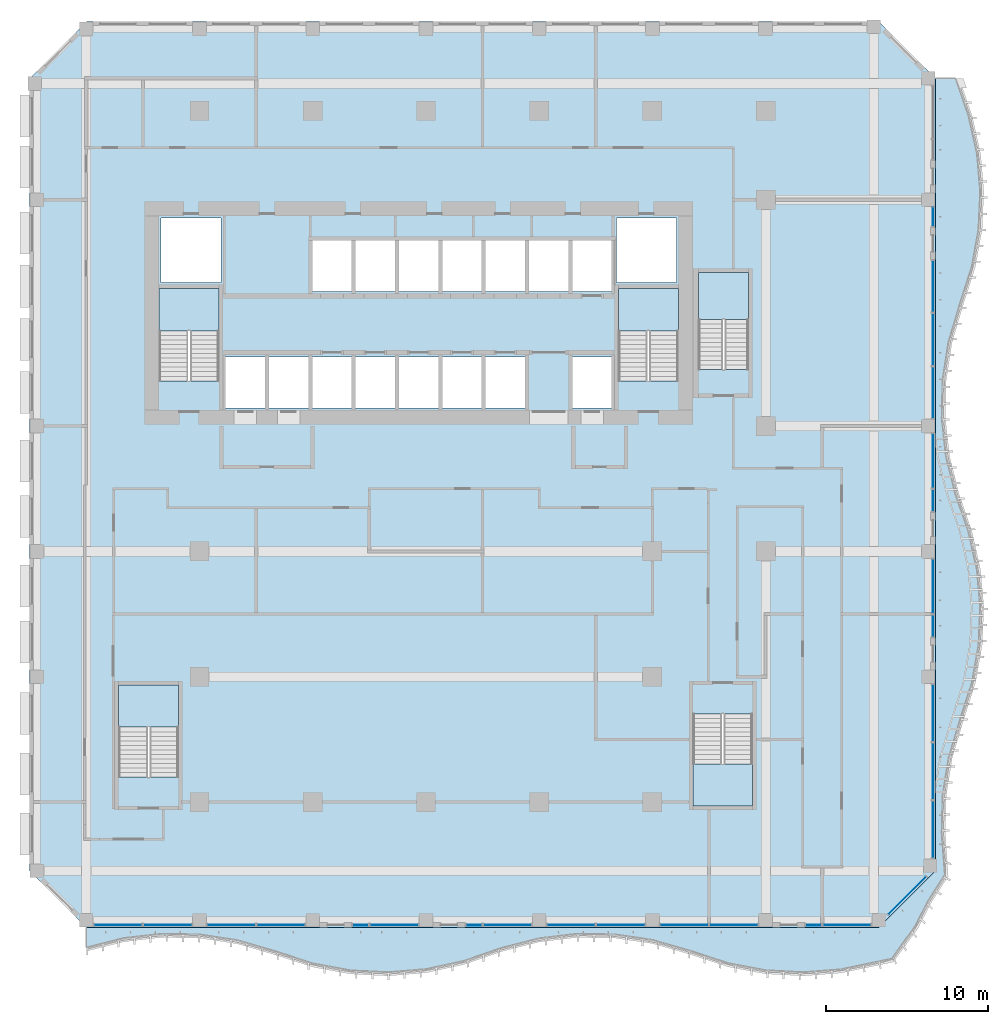
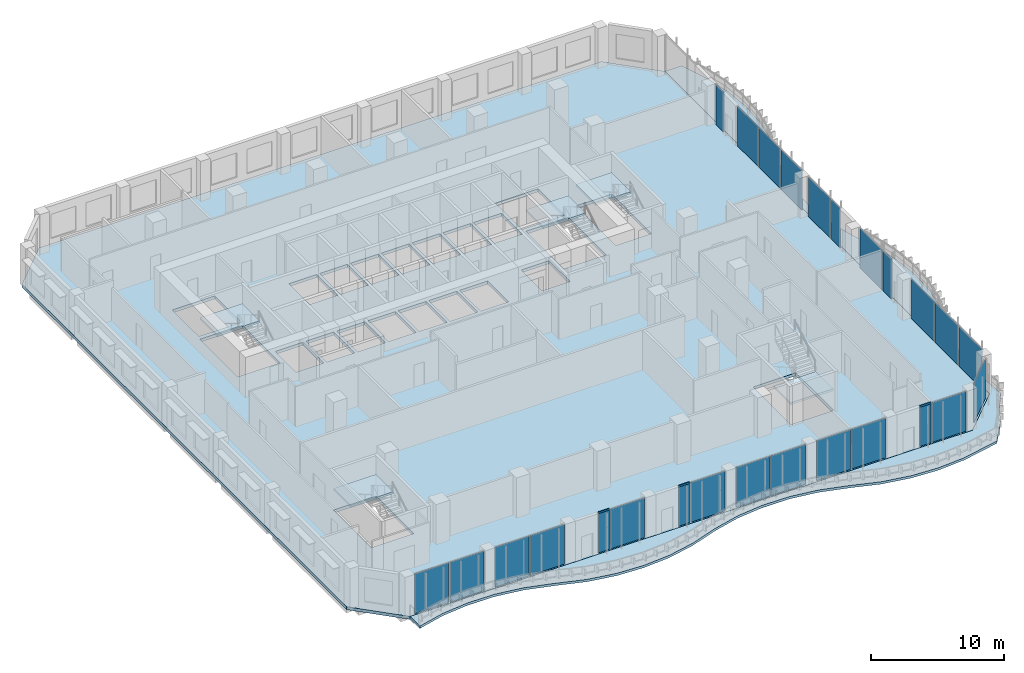
# One storey, part 9 of 25: 26 plates, 7 slabs, 3 members, 31 elements without a shape of their own.
"""IFC4 building model written with IfcOpenShell, lengths in metres."""

import ifcopenshell
import ifcopenshell.guid

model = None  # the IFC model being written
_history = None  # IfcOwnerHistory: only IFC2X3 demands one
_inside = {}  # id of a spatial element -> (the spatial element, [elements in it])
_under = {}  # id of a project, library or spatial element -> (it, [spatial elements below it])
_declared = {}  # id of a project -> (the project, [libraries it declares])
_typed = {}  # id of a type object -> (the type object, [elements of that type])
_made_of = {}  # id of a material, layer set ... -> (it, [elements and type objects made of it])


def new_model(schema):
    """Start an empty IFC model of exactly this schema.

    Asked for "IFC4X3", IfcOpenShell would pick the latest addendum, in which some entities
    have other attributes; the version numbers below select the first issue.
    IFC2X3 requires an IfcOwnerHistory on every rooted entity: one is made here for all.
    """
    global model, _history
    if schema == "IFC4X3":
        model = ifcopenshell.file(schema_version=(4, 3, 0, 0))
    else:
        model = ifcopenshell.file(schema=schema)
    _inside.clear()
    _under.clear()
    _declared.clear()
    _typed.clear()
    _made_of.clear()
    _history = None
    if model.schema == "IFC2X3":
        org = make("IfcOrganization", Name="unknown")
        user = make(
            "IfcPersonAndOrganization",
            ThePerson=make("IfcPerson", FamilyName="unknown"),
            TheOrganization=org,
        )
        app = make(
            "IfcApplication",
            ApplicationDeveloper=org,
            Version="unknown",
            ApplicationFullName="unknown",
            ApplicationIdentifier="unknown",
        )
        _history = make(
            "IfcOwnerHistory",
            OwningUser=user,
            OwningApplication=app,
            ChangeAction="ADDED",
            CreationDate=0,
        )
    return model


def make(cls, **values):
    """One entity of the class cls with the attributes given. An attribute that is None is left unset."""
    return model.create_entity(
        cls, **{name: value for name, value in values.items() if value is not None}
    )


def rooted(cls, **values):
    """An entity with a GlobalId (a new one), such as an element, a storey or a relation."""
    return make(cls, GlobalId=ifcopenshell.guid.new(), OwnerHistory=_history, **values)


def si_unit(unit_type, name, prefix=None):
    """IfcSIUnit, for example si_unit("LENGTHUNIT", "METRE", prefix="MILLI")."""
    return make("IfcSIUnit", UnitType=unit_type, Prefix=prefix, Name=name)


def assignment(units):
    """IfcUnitAssignment: the units of a project."""
    return None if units is None else make("IfcUnitAssignment", Units=units)


def point(xyz):
    """IfcCartesianPoint."""
    return None if xyz is None else make("IfcCartesianPoint", Coordinates=xyz)


def direction(xyz):
    """IfcDirection."""
    return None if xyz is None else make("IfcDirection", DirectionRatios=xyz)


def frame(location, z_axis=None, x_axis=None):
    """IfcAxis2Placement3D, a coordinate frame: its origin and axes. An axis left out is left unset."""
    return make(
        "IfcAxis2Placement3D",
        Location=point(location),
        Axis=direction(z_axis),
        RefDirection=direction(x_axis),
    )


def frame_2d(location, x_axis=None):
    """IfcAxis2Placement2D, a coordinate frame in the plane: its origin and x axis."""
    return make(
        "IfcAxis2Placement2D", Location=point(location), RefDirection=direction(x_axis)
    )


def origin():
    """The frame at (0, 0, 0) with its axes left unset."""
    return frame((0.0, 0.0, 0.0))


def origin_2d():
    """The frame at (0, 0) in the plane with its x axis left unset."""
    return frame_2d((0.0, 0.0))


def place(relative_to, where):
    """IfcLocalPlacement: puts the frame where relative to a parent placement (None: the world)."""
    return make(
        "IfcLocalPlacement", PlacementRelTo=relative_to, RelativePlacement=where
    )


def context(
    kind, dimensions, precision=None, world=None, true_north=None, identifier=None
):
    """IfcGeometricRepresentationContext, for example the 3D "Model" context."""
    return make(
        "IfcGeometricRepresentationContext",
        ContextIdentifier=identifier,
        ContextType=kind,
        CoordinateSpaceDimension=dimensions,
        Precision=precision,
        WorldCoordinateSystem=world,
        TrueNorth=true_north,
    )


def subcontext(parent, identifier, kind, view, scale=None):
    """IfcGeometricRepresentationSubContext, for example "Body" below "Model"."""
    return make(
        "IfcGeometricRepresentationSubContext",
        ContextIdentifier=identifier,
        ContextType=kind,
        ParentContext=parent,
        TargetScale=scale,
        TargetView=view,
    )


def project(units=None, contexts=None):
    """IfcProject with its units and contexts."""
    return rooted(
        "IfcProject",
        Name="project",
        RepresentationContexts=contexts,
        UnitsInContext=assignment(units),
    )


def spatial(cls, under=None, at=None, **own):
    """A site, building, storey or space (cls), placed at a placement, below another one or the project."""
    s = rooted(cls, ObjectPlacement=at, **own)
    if under is not None:
        _under.setdefault(under.id(), (under, []))[1].append(s)
    return s


def polyline(points):
    """IfcPolyline through the points."""
    return make("IfcPolyline", Points=[point(p) for p in points])


def profile(cls, at=None, kind="AREA", **sizes):
    """A parametric profile (cls). Its sizes go by their IFC names, for example OverallWidth=200.0."""
    return make(cls, ProfileType=kind, Position=at, **sizes)


def rectangle(**sizes):
    """IfcRectangleProfileDef."""
    return profile("IfcRectangleProfileDef", **sizes)


def outline(outer, holes=None, kind="AREA"):
    """IfcArbitraryClosedProfileDef: a profile drawn as a closed curve; with holes, ...WithVoids."""
    if holes is None:
        return make("IfcArbitraryClosedProfileDef", ProfileType=kind, OuterCurve=outer)
    return make(
        "IfcArbitraryProfileDefWithVoids",
        ProfileType=kind,
        OuterCurve=outer,
        InnerCurves=holes,
    )


def extrude(swept, where, along, depth):
    """IfcExtrudedAreaSolid: the profile swept, set in the frame where, extruded along a direction by depth."""
    return make(
        "IfcExtrudedAreaSolid",
        SweptArea=swept,
        Position=where,
        ExtrudedDirection=direction(along),
        Depth=depth,
    )


def shape(context_of_items, identifier, shape_type, items):
    """IfcShapeRepresentation: the items that make up one representation, for example the "Body"."""
    return make(
        "IfcShapeRepresentation",
        ContextOfItems=context_of_items,
        RepresentationIdentifier=identifier,
        RepresentationType=shape_type,
        Items=items,
    )


def source(mapping_origin, context_of_items, identifier, shape_type, items):
    """IfcRepresentationMap: a shape defined once, which mapped items show again and again."""
    return make(
        "IfcRepresentationMap",
        MappingOrigin=mapping_origin,
        MappedRepresentation=shape(context_of_items, identifier, shape_type, items),
    )


def transform(
    local_origin,
    x_axis=None,
    y_axis=None,
    z_axis=None,
    scale=None,
    scale2=None,
    scale3=None,
    uniform=True,
):
    """IfcCartesianTransformationOperator3D, or its non-uniform kind. x_axis, y_axis, z_axis: its Axis1, 2, 3."""
    if uniform:
        return make(
            "IfcCartesianTransformationOperator3D",
            Axis1=direction(x_axis),
            Axis2=direction(y_axis),
            LocalOrigin=point(local_origin),
            Scale=scale,
            Axis3=direction(z_axis),
        )
    return make(
        "IfcCartesianTransformationOperator3DnonUniform",
        Axis1=direction(x_axis),
        Axis2=direction(y_axis),
        LocalOrigin=point(local_origin),
        Scale=scale,
        Axis3=direction(z_axis),
        Scale2=scale2,
        Scale3=scale3,
    )


def mapped(mapping_source, mapping_target):
    """IfcMappedItem: shows the shape of a source again, moved by a transform."""
    return make(
        "IfcMappedItem", MappingSource=mapping_source, MappingTarget=mapping_target
    )


def material(Name=None, Category=None):
    """IfcMaterial."""
    return make("IfcMaterial", Name=Name, Category=Category)


def layer(
    of_material, thickness, ventilated=None, Name=None, Category=None, Priority=None
):
    """IfcMaterialLayer: one layer of a wall or slab, of a material (None: an air gap)."""
    return make(
        "IfcMaterialLayer",
        Material=of_material,
        LayerThickness=thickness,
        IsVentilated=ventilated,
        Name=Name,
        Category=Category,
        Priority=Priority,
    )


def layer_set(layers, Name=None):
    """IfcMaterialLayerSet."""
    return make("IfcMaterialLayerSet", MaterialLayers=layers, LayerSetName=Name)


def material_profile(
    of_material, cross_section, Name=None, Category=None, Priority=None
):
    """IfcMaterialProfile: a cross section and its material."""
    return make(
        "IfcMaterialProfile",
        Name=Name,
        Material=of_material,
        Profile=cross_section,
        Priority=Priority,
        Category=Category,
    )


def profile_set(profiles, Name=None, composite=None):
    """IfcMaterialProfileSet."""
    return make(
        "IfcMaterialProfileSet",
        Name=Name,
        MaterialProfiles=profiles,
        CompositeProfile=composite,
    )


def made_of(thing, what):
    """Note that an element or type object is made of a material, layer set ...; save() writes the relation."""
    if what is not None:
        _made_of.setdefault(what.id(), (what, []))[1].append(thing)
    return thing


def type_object(cls, material=None, **own):
    """A type object (cls), such as IfcWallType, which elements share."""
    return made_of(rooted(cls, **own), material)


def element(
    cls,
    number,
    at=None,
    inside=None,
    cuts=None,
    type_object=None,
    material=None,
    context=None,
    identifier="Body",
    shape_type=None,
    held_by="IfcProductDefinitionShape",
    body=None,
    shapes=None,
    **own,
):
    """One element of the class cls, such as IfcWall. Its Tag is "e" and its number.

    at: its placement. inside: the storey or other place that contains it. cuts: it is an
    opening in that element (IfcRelVoidsElement). A single representation is given by context,
    identifier, shape_type and body (its items); several are given by shapes. held_by: the class
    of the entity that holds the representations. save() writes the other relations.
    """
    e = rooted(cls, Tag="e%d" % number, ObjectPlacement=at, **own)
    if body is not None:
        shapes = [shape(context, identifier, shape_type, body)]
    if shapes is not None:
        e.Representation = make(held_by, Representations=shapes)
    if inside is not None:
        _inside.setdefault(inside.id(), (inside, []))[1].append(e)
    if cuts is not None:
        rooted(
            "IfcRelVoidsElement", RelatingBuildingElement=cuts, RelatedOpeningElement=e
        )
    if type_object is not None:
        _typed.setdefault(type_object.id(), (type_object, []))[1].append(e)
    return made_of(e, material)


def aggregate(whole, parts):
    """IfcRelAggregates: a whole, such as a stair, and the parts it consists of."""
    return rooted("IfcRelAggregates", RelatingObject=whole, RelatedObjects=parts)


def save(model, path):
    """Write the relations noted so far, then the file.

    IfcRelAggregates (storeys below a building ...), IfcRelContainedInSpatialStructure (elements
    in a storey), IfcRelDefinesByType, IfcRelAssociatesMaterial and IfcRelDeclares: one each for
    every whole, place, type object, material and project.
    """
    for whole, parts in _under.values():
        aggregate(whole, parts)
    for where, things in _inside.values():
        rooted(
            "IfcRelContainedInSpatialStructure",
            RelatedElements=things,
            RelatingStructure=where,
        )
    for kind, things in _typed.values():
        rooted("IfcRelDefinesByType", RelatedObjects=things, RelatingType=kind)
    for what, things in _made_of.values():
        rooted("IfcRelAssociatesMaterial", RelatedObjects=things, RelatingMaterial=what)
    for by, libraries in _declared.values():
        rooted("IfcRelDeclares", RelatingContext=by, RelatedDefinitions=libraries)
    model.write(path)


model = new_model("IFC4")

# Units and contexts
model_context = context("Model", 3, precision=1e-05, world=origin(), true_north=direction((0.0, 1.0)))
body_context = subcontext(model_context, "Body", "Model", "MODEL_VIEW")
ifc_project = project(units=[si_unit("LENGTHUNIT", "METRE"), si_unit("AREAUNIT", "SQUARE_METRE"), si_unit("VOLUMEUNIT", "CUBIC_METRE"), si_unit("PLANEANGLEUNIT", "RADIAN"), si_unit("MASSUNIT", "GRAM", prefix="KILO")], contexts=[model_context])

# Site, building, storey
site_placement = place(None, origin())
site = spatial("IfcSite", under=ifc_project, at=site_placement, CompositionType="ELEMENT")
building_placement = place(site_placement, origin())
building = spatial("IfcBuilding", under=site, at=building_placement, Name="Kilnfold Tower and Market Hall", CompositionType="ELEMENT")
storey_placement = place(building_placement, frame((0.0, 0.0, 120.60009765625)))
storey = spatial("IfcBuildingStorey", under=building, at=storey_placement, Name="L28", CompositionType="ELEMENT", Elevation=120.60009765625)

# Curtain wall, member
ifc_material_1 = material(Name="Aluminium and double glazing", Category="aluminium")
curtain_wall_type = type_object("IfcCurtainWallType", Name="CW OF2 VALLEY GLAZING", PredefinedType="NOTDEFINED", material=ifc_material_1)
curtain_wall_1_placement = place(storey_placement, origin())
curtain_wall_1 = element("IfcCurtainWall", 1, at=curtain_wall_1_placement, inside=storey, type_object=curtain_wall_type, Name="Curtain wall CW2 L28 S", PredefinedType="NOTDEFINED")
ifc_material_2 = material(Name="Aluminium", Category="aluminium")
ifc_material_profile = material_profile(ifc_material_2, rectangle(XDim=0.06005859375, YDim=0.159912109375, at=origin_2d()), Name="TRANSOM 60x160")
ifc_profile_set = profile_set([ifc_material_profile], Name="Aluminium")
member_type = type_object("IfcMemberType", Name="TRANSOM 60X160", PredefinedType="USERDEFINED", material=ifc_profile_set)
shared_shape_1 = source(origin(), body_context, "Body", "SweptSolid", [
    extrude(rectangle(XDim=0.06005859375, YDim=0.159912109375, at=origin_2d()), origin(), (0.0, 0.0, 1.0), 0.954833984375),
])
member_1_placement = place(storey_placement, frame((-3.014892578125, -22.85009765625, 3.68994140625), z_axis=(1.0, 0.0, 0.0), x_axis=(0.0, 1.0, 0.0)))
member_1 = element("IfcMember", 2, at=member_1_placement, type_object=member_type, Name="CW2 transom 1.2", ObjectType="TRANSOM", PredefinedType="USERDEFINED", context=body_context, shape_type="MappedRepresentation", body=[
    mapped(shared_shape_1, transform((0.0, 0.0, 0.0))),
])

curtain_wall_2_placement = place(storey_placement, origin())
curtain_wall_2 = element("IfcCurtainWall", 3, at=curtain_wall_2_placement, inside=storey, type_object=curtain_wall_type, Name="Curtain wall CW2 L28 S", PredefinedType="NOTDEFINED")
member_2_placement = place(storey_placement, frame((3.985107421875, -22.85009765625, 3.68994140625), z_axis=(1.0, 0.0, 0.0), x_axis=(0.0, 1.0, 0.0)))
member_2 = element("IfcMember", 4, at=member_2_placement, type_object=member_type, Name="CW2 transom 1.2", ObjectType="TRANSOM", PredefinedType="USERDEFINED", context=body_context, shape_type="MappedRepresentation", body=[
    mapped(shared_shape_1, transform((0.0, 0.0, 0.0))),
])

curtain_wall_3_placement = place(storey_placement, origin())
curtain_wall_3 = element("IfcCurtainWall", 5, at=curtain_wall_3_placement, inside=storey, type_object=curtain_wall_type, Name="Curtain wall CW2 L28 S", PredefinedType="NOTDEFINED")
member_3_placement = place(storey_placement, frame((24.985107421875, -22.85009765625, 3.68994140625), z_axis=(1.0, 0.0, 0.0), x_axis=(0.0, 1.0, 0.0)))
member_3 = element("IfcMember", 6, at=member_3_placement, type_object=member_type, Name="CW2 transom 1.2", ObjectType="TRANSOM", PredefinedType="USERDEFINED", context=body_context, shape_type="MappedRepresentation", body=[
    mapped(shared_shape_1, transform((0.0, 0.0, 0.0))),
])

# Slab
ifc_material_3 = material(Name="Concrete C45", Category="concrete")
ifc_layer_1 = layer(ifc_material_3, 0.280029296875)
ifc_layer_set_1 = layer_set([ifc_layer_1], Name="Concrete C45")
slab_type_1 = type_object("IfcSlabType", Name="FLOOR SLAB 280", PredefinedType="FLOOR", material=ifc_layer_set_1)
shared_shape_2 = source(origin(), body_context, "Body", "SweptSolid", [
    extrude(outline(polyline([(-19.5, -23.0), (29.5, -23.0), (33.0, -19.5), (33.0, 29.5), (29.5, 33.0), (-19.5, 33.0), (-23.0, 29.5), (-23.0, -19.5), (-19.5, -23.0)]), holes=[polyline([(-13.800537109375, -13.699462890625), (-17.49951171875, -13.699462890625), (-17.49951171875, -8.00048828125), (-13.800537109375, -8.00048828125), (-13.800537109375, -13.699462890625)]), polyline([(-14.99951171875, 10.800537109375), (-14.99951171875, 16.49951171875), (-11.300537109375, 16.49951171875), (-11.300537109375, 10.800537109375), (-14.99951171875, 10.800537109375)]), polyline([(-14.875, 16.875), (-14.875, 20.875), (-11.175048828125, 20.875), (-11.175048828125, 16.875), (-14.875, 16.875)]), polyline([(-8.455078125, 9.125), (-10.885009765625, 9.125), (-10.885009765625, 12.27490234375), (-8.455078125, 12.27490234375), (-8.455078125, 9.125)]), polyline([(-5.77490234375, 9.125), (-8.205078125, 9.125), (-8.205078125, 12.27490234375), (-5.77490234375, 12.27490234375), (-5.77490234375, 9.125)]), polyline([(-5.52490234375, 9.125), (-5.52490234375, 12.27490234375), (-3.094970703125, 12.27490234375), (-3.094970703125, 9.125), (-5.52490234375, 9.125)]), polyline([(-5.52490234375, 16.324951171875), (-5.52490234375, 19.47509765625), (-3.094970703125, 19.47509765625), (-3.094970703125, 16.324951171875), (-5.52490234375, 16.324951171875)]), polyline([(-2.844970703125, 9.125), (-2.844970703125, 12.27490234375), (-0.4150390625, 12.27490234375), (-0.4150390625, 9.125), (-2.844970703125, 9.125)]), polyline([(-0.4150390625, 16.324951171875), (-2.844970703125, 16.324951171875), (-2.844970703125, 19.47509765625), (-0.4150390625, 19.47509765625), (-0.4150390625, 16.324951171875)]), polyline([(2.264892578125, 9.125), (-0.1650390625, 9.125), (-0.1650390625, 12.27490234375), (2.264892578125, 12.27490234375), (2.264892578125, 9.125)]), polyline([(-0.1650390625, 16.324951171875), (-0.1650390625, 19.47509765625), (2.264892578125, 19.47509765625), (2.264892578125, 16.324951171875), (-0.1650390625, 16.324951171875)]), polyline([(4.945068359375, 9.125), (2.514892578125, 9.125), (2.514892578125, 12.27490234375), (4.945068359375, 12.27490234375), (4.945068359375, 9.125)]), polyline([(2.514892578125, 16.324951171875), (2.514892578125, 19.47509765625), (4.945068359375, 19.47509765625), (4.945068359375, 16.324951171875), (2.514892578125, 16.324951171875)]), polyline([(7.625, 9.125), (5.195068359375, 9.125), (5.195068359375, 12.27490234375), (7.625, 12.27490234375), (7.625, 9.125)]), polyline([(5.195068359375, 16.324951171875), (5.195068359375, 19.47509765625), (7.625, 19.47509765625), (7.625, 16.324951171875), (5.195068359375, 16.324951171875)]), polyline([(10.304931640625, 16.324951171875), (7.875, 16.324951171875), (7.875, 19.47509765625), (10.304931640625, 19.47509765625), (10.304931640625, 16.324951171875)]), polyline([(10.554931640625, 9.125), (10.554931640625, 12.27490234375), (12.985107421875, 12.27490234375), (12.985107421875, 9.125), (10.554931640625, 9.125)]), polyline([(10.554931640625, 16.324951171875), (10.554931640625, 19.47509765625), (12.985107421875, 19.47509765625), (12.985107421875, 16.324951171875), (10.554931640625, 16.324951171875)]), polyline([(13.27490234375, 16.875), (13.27490234375, 20.875), (16.97509765625, 20.875), (16.97509765625, 16.875), (13.27490234375, 16.875)]), polyline([(13.400390625, 10.800537109375), (13.400390625, 16.49951171875), (17.099609375, 16.49951171875), (17.099609375, 10.800537109375), (13.400390625, 10.800537109375)]), polyline([(18.00048828125, -9.800537109375), (21.699462890625, -9.800537109375), (21.699462890625, -15.49951171875), (18.00048828125, -15.49951171875), (18.00048828125, -9.800537109375)]), polyline([(21.449462890625, 11.50048828125), (18.3505859375, 11.50048828125), (18.3505859375, 17.49951171875), (21.449462890625, 17.49951171875), (21.449462890625, 11.50048828125)])]), origin(), (0.0, 0.0, 1.0), 0.280029296875),
])
slab_1_placement = place(storey_placement, frame((0.0, 0.0, -0.280029296875)))
element("IfcSlab", 7, at=slab_1_placement, inside=storey, type_object=slab_type_1, Name="Floor slab L28", PredefinedType="FLOOR", context=body_context, shape_type="MappedRepresentation", body=[
    mapped(shared_shape_2, transform((0.0, 0.0, 0.0))),
])

# Plate
ifc_material_4 = material(Name="Double glazed unit")
ifc_layer_2 = layer(ifc_material_4, 0.031982421875)
ifc_layer_set_2 = layer_set([ifc_layer_2], Name="Double glazed unit")
plate_type = type_object("IfcPlateType", Name="GLAZING PANEL 32", PredefinedType="CURTAIN_PANEL", material=ifc_layer_set_2)
shared_shape_3 = source(origin(), body_context, "Body", "SweptSolid", [
    extrude(rectangle(XDim=0.955078125, YDim=0.031982421875, at=origin_2d()), origin(), (0.0, 0.0, 1.0), 3.659912109375),
])
plate_1_placement = place(storey_placement, frame((-2.53759765625, -22.85009765625, 0.0), z_axis=(0.0, 0.0, 1.0), x_axis=(1.0, 0.0, 0.0)))
plate_1 = element("IfcPlate", 8, at=plate_1_placement, type_object=plate_type, Name="CW2 panel 1.1", PredefinedType="CURTAIN_PANEL", context=body_context, shape_type="MappedRepresentation", body=[
    mapped(shared_shape_3, transform((0.0, 0.0, 0.0))),
])

aggregate(curtain_wall_1, [member_1, plate_1])

plate_2_placement = place(storey_placement, frame((4.46240234375, -22.85009765625, 0.0), z_axis=(0.0, 0.0, 1.0), x_axis=(1.0, 0.0, 0.0)))
plate_2 = element("IfcPlate", 9, at=plate_2_placement, type_object=plate_type, Name="CW2 panel 1.1", PredefinedType="CURTAIN_PANEL", context=body_context, shape_type="MappedRepresentation", body=[
    mapped(shared_shape_3, transform((0.0, 0.0, 0.0))),
])

aggregate(curtain_wall_2, [member_2, plate_2])

plate_3_placement = place(storey_placement, frame((25.46240234375, -22.85009765625, 0.0), z_axis=(0.0, 0.0, 1.0), x_axis=(1.0, 0.0, 0.0)))
plate_3 = element("IfcPlate", 10, at=plate_3_placement, type_object=plate_type, Name="CW2 panel 1.1", PredefinedType="CURTAIN_PANEL", context=body_context, shape_type="MappedRepresentation", body=[
    mapped(shared_shape_3, transform((0.0, 0.0, 0.0))),
])

aggregate(curtain_wall_3, [member_3, plate_3])

# Curtain wall, plate
curtain_wall_4_placement = place(storey_placement, origin())
curtain_wall_4 = element("IfcCurtainWall", 11, at=curtain_wall_4_placement, inside=storey, type_object=curtain_wall_type, Name="Curtain wall CW2 L28 S", PredefinedType="NOTDEFINED")
shared_shape_4 = source(origin(), body_context, "Body", "SweptSolid", [
    extrude(rectangle(XDim=2.955078125, YDim=0.031982421875, at=origin_2d()), origin(), (0.0, 0.0, 1.0), 3.659912109375),
])
plate_4_placement = place(storey_placement, frame((-17.53759765625, -22.85009765625, 0.0), z_axis=(0.0, 0.0, 1.0), x_axis=(1.0, 0.0, 0.0)))
plate_4 = element("IfcPlate", 12, at=plate_4_placement, type_object=plate_type, Name="CW2 panel 1.1", PredefinedType="CURTAIN_PANEL", context=body_context, shape_type="MappedRepresentation", body=[
    mapped(shared_shape_4, transform((0.0, 0.0, 0.0))),
])
aggregate(curtain_wall_4, [plate_4])

curtain_wall_5_placement = place(storey_placement, origin())
curtain_wall_5 = element("IfcCurtainWall", 13, at=curtain_wall_5_placement, inside=storey, type_object=curtain_wall_type, Name="Curtain wall CW2 L28 S", PredefinedType="NOTDEFINED")
plate_5_placement = place(storey_placement, frame((-14.46240234375, -22.85009765625, 0.0), z_axis=(0.0, 0.0, 1.0), x_axis=(1.0, 0.0, 0.0)))
plate_5 = element("IfcPlate", 14, at=plate_5_placement, type_object=plate_type, Name="CW2 panel 1.1", PredefinedType="CURTAIN_PANEL", context=body_context, shape_type="MappedRepresentation", body=[
    mapped(shared_shape_4, transform((0.0, 0.0, 0.0))),
])
aggregate(curtain_wall_5, [plate_5])

curtain_wall_6_placement = place(storey_placement, origin())
curtain_wall_6 = element("IfcCurtainWall", 15, at=curtain_wall_6_placement, inside=storey, type_object=curtain_wall_type, Name="Curtain wall CW2 L28 S", PredefinedType="NOTDEFINED")
plate_6_placement = place(storey_placement, frame((-10.53759765625, -22.85009765625, 0.0), z_axis=(0.0, 0.0, 1.0), x_axis=(1.0, 0.0, 0.0)))
plate_6 = element("IfcPlate", 16, at=plate_6_placement, type_object=plate_type, Name="CW2 panel 1.1", PredefinedType="CURTAIN_PANEL", context=body_context, shape_type="MappedRepresentation", body=[
    mapped(shared_shape_4, transform((0.0, 0.0, 0.0))),
])
aggregate(curtain_wall_6, [plate_6])

curtain_wall_7_placement = place(storey_placement, origin())
curtain_wall_7 = element("IfcCurtainWall", 17, at=curtain_wall_7_placement, inside=storey, type_object=curtain_wall_type, Name="Curtain wall CW2 L28 S", PredefinedType="NOTDEFINED")
plate_7_placement = place(storey_placement, frame((-7.46240234375, -22.85009765625, 0.0), z_axis=(0.0, 0.0, 1.0), x_axis=(1.0, 0.0, 0.0)))
plate_7 = element("IfcPlate", 18, at=plate_7_placement, type_object=plate_type, Name="CW2 panel 1.1", PredefinedType="CURTAIN_PANEL", context=body_context, shape_type="MappedRepresentation", body=[
    mapped(shared_shape_4, transform((0.0, 0.0, 0.0))),
])
aggregate(curtain_wall_7, [plate_7])

curtain_wall_8_placement = place(storey_placement, origin())
curtain_wall_8 = element("IfcCurtainWall", 19, at=curtain_wall_8_placement, inside=storey, type_object=curtain_wall_type, Name="Curtain wall CW2 L28 S", PredefinedType="NOTDEFINED")
plate_8_placement = place(storey_placement, frame((-0.46240234375, -22.85009765625, 0.0), z_axis=(0.0, 0.0, 1.0), x_axis=(1.0, 0.0, 0.0)))
plate_8 = element("IfcPlate", 20, at=plate_8_placement, type_object=plate_type, Name="CW2 panel 1.1", PredefinedType="CURTAIN_PANEL", context=body_context, shape_type="MappedRepresentation", body=[
    mapped(shared_shape_4, transform((0.0, 0.0, 0.0))),
])
aggregate(curtain_wall_8, [plate_8])

curtain_wall_9_placement = place(storey_placement, origin())
curtain_wall_9 = element("IfcCurtainWall", 21, at=curtain_wall_9_placement, inside=storey, type_object=curtain_wall_type, Name="Curtain wall CW2 L28 S", PredefinedType="NOTDEFINED")
plate_9_placement = place(storey_placement, frame((6.53759765625, -22.85009765625, 0.0), z_axis=(0.0, 0.0, 1.0), x_axis=(1.0, 0.0, 0.0)))
plate_9 = element("IfcPlate", 22, at=plate_9_placement, type_object=plate_type, Name="CW2 panel 1.1", PredefinedType="CURTAIN_PANEL", context=body_context, shape_type="MappedRepresentation", body=[
    mapped(shared_shape_4, transform((0.0, 0.0, 0.0))),
])
aggregate(curtain_wall_9, [plate_9])

curtain_wall_10_placement = place(storey_placement, origin())
curtain_wall_10 = element("IfcCurtainWall", 23, at=curtain_wall_10_placement, inside=storey, type_object=curtain_wall_type, Name="Curtain wall CW2 L28 S", PredefinedType="NOTDEFINED")
plate_10_placement = place(storey_placement, frame((10.46240234375, -22.85009765625, 0.0), z_axis=(0.0, 0.0, 1.0), x_axis=(1.0, 0.0, 0.0)))
plate_10 = element("IfcPlate", 24, at=plate_10_placement, type_object=plate_type, Name="CW2 panel 1.1", PredefinedType="CURTAIN_PANEL", context=body_context, shape_type="MappedRepresentation", body=[
    mapped(shared_shape_4, transform((0.0, 0.0, 0.0))),
])
aggregate(curtain_wall_10, [plate_10])

curtain_wall_11_placement = place(storey_placement, origin())
curtain_wall_11 = element("IfcCurtainWall", 25, at=curtain_wall_11_placement, inside=storey, type_object=curtain_wall_type, Name="Curtain wall CW2 L28 S", PredefinedType="NOTDEFINED")
plate_11_placement = place(storey_placement, frame((13.53759765625, -22.85009765625, 0.0), z_axis=(0.0, 0.0, 1.0), x_axis=(1.0, 0.0, 0.0)))
plate_11 = element("IfcPlate", 26, at=plate_11_placement, type_object=plate_type, Name="CW2 panel 1.1", PredefinedType="CURTAIN_PANEL", context=body_context, shape_type="MappedRepresentation", body=[
    mapped(shared_shape_4, transform((0.0, 0.0, 0.0))),
])
aggregate(curtain_wall_11, [plate_11])

curtain_wall_12_placement = place(storey_placement, origin())
curtain_wall_12 = element("IfcCurtainWall", 27, at=curtain_wall_12_placement, inside=storey, type_object=curtain_wall_type, Name="Curtain wall CW2 L28 S", PredefinedType="NOTDEFINED")
plate_12_placement = place(storey_placement, frame((17.46240234375, -22.85009765625, 0.0), z_axis=(0.0, 0.0, 1.0), x_axis=(1.0, 0.0, 0.0)))
plate_12 = element("IfcPlate", 28, at=plate_12_placement, type_object=plate_type, Name="CW2 panel 1.1", PredefinedType="CURTAIN_PANEL", context=body_context, shape_type="MappedRepresentation", body=[
    mapped(shared_shape_4, transform((0.0, 0.0, 0.0))),
])
aggregate(curtain_wall_12, [plate_12])

curtain_wall_13_placement = place(storey_placement, origin())
curtain_wall_13 = element("IfcCurtainWall", 29, at=curtain_wall_13_placement, inside=storey, type_object=curtain_wall_type, Name="Curtain wall CW2 L28 S", PredefinedType="NOTDEFINED")
plate_13_placement = place(storey_placement, frame((20.53759765625, -22.85009765625, 0.0), z_axis=(0.0, 0.0, 1.0), x_axis=(1.0, 0.0, 0.0)))
plate_13 = element("IfcPlate", 30, at=plate_13_placement, type_object=plate_type, Name="CW2 panel 1.1", PredefinedType="CURTAIN_PANEL", context=body_context, shape_type="MappedRepresentation", body=[
    mapped(shared_shape_4, transform((0.0, 0.0, 0.0))),
])
aggregate(curtain_wall_13, [plate_13])

curtain_wall_14_placement = place(storey_placement, origin())
curtain_wall_14 = element("IfcCurtainWall", 31, at=curtain_wall_14_placement, inside=storey, type_object=curtain_wall_type, Name="Curtain wall CW2 L28 S", PredefinedType="NOTDEFINED")
plate_14_placement = place(storey_placement, frame((27.53759765625, -22.85009765625, 0.0), z_axis=(0.0, 0.0, 1.0), x_axis=(1.0, 0.0, 0.0)))
plate_14 = element("IfcPlate", 32, at=plate_14_placement, type_object=plate_type, Name="CW2 panel 1.1", PredefinedType="CURTAIN_PANEL", context=body_context, shape_type="MappedRepresentation", body=[
    mapped(shared_shape_4, transform((0.0, 0.0, 0.0))),
])
aggregate(curtain_wall_14, [plate_14])

curtain_wall_15_placement = place(storey_placement, origin())
curtain_wall_15 = element("IfcCurtainWall", 33, at=curtain_wall_15_placement, inside=storey, type_object=curtain_wall_type, Name="Curtain wall CW2 L28 E", PredefinedType="NOTDEFINED")
shared_shape_5 = source(origin(), body_context, "Body", "SweptSolid", [
    extrude(rectangle(XDim=3.490478515625, YDim=0.031982421875, at=origin_2d()), origin(), (0.0, 0.0, 1.0), 3.659912109375),
])
plate_15_placement = place(storey_placement, frame((32.85009765625, -16.951416015625, 0.0), z_axis=(0.0, 0.0, 1.0), x_axis=(0.0, 1.0, 0.0)))
plate_15 = element("IfcPlate", 34, at=plate_15_placement, type_object=plate_type, Name="CW2 panel 1.1", PredefinedType="CURTAIN_PANEL", context=body_context, shape_type="MappedRepresentation", body=[
    mapped(shared_shape_5, transform((0.0, 0.0, 0.0))),
])
aggregate(curtain_wall_15, [plate_15])

curtain_wall_16_placement = place(storey_placement, origin())
curtain_wall_16 = element("IfcCurtainWall", 35, at=curtain_wall_16_placement, inside=storey, type_object=curtain_wall_type, Name="Curtain wall CW2 L28 E", PredefinedType="NOTDEFINED")
plate_16_placement = place(storey_placement, frame((32.85009765625, -13.3408203125, 0.0), z_axis=(0.0, 0.0, 1.0), x_axis=(0.0, 1.0, 0.0)))
plate_16 = element("IfcPlate", 36, at=plate_16_placement, type_object=plate_type, Name="CW2 panel 1.1", PredefinedType="CURTAIN_PANEL", context=body_context, shape_type="MappedRepresentation", body=[
    mapped(shared_shape_5, transform((0.0, 0.0, 0.0))),
])
aggregate(curtain_wall_16, [plate_16])

curtain_wall_17_placement = place(storey_placement, origin())
curtain_wall_17 = element("IfcCurtainWall", 37, at=curtain_wall_17_placement, inside=storey, type_object=curtain_wall_type, Name="Curtain wall CW2 L28 E", PredefinedType="NOTDEFINED")
plate_17_placement = place(storey_placement, frame((32.85009765625, -9.730224609375, 0.0), z_axis=(0.0, 0.0, 1.0), x_axis=(0.0, 1.0, 0.0)))
plate_17 = element("IfcPlate", 38, at=plate_17_placement, type_object=plate_type, Name="CW2 panel 1.1", PredefinedType="CURTAIN_PANEL", context=body_context, shape_type="MappedRepresentation", body=[
    mapped(shared_shape_5, transform((0.0, 0.0, 0.0))),
])
aggregate(curtain_wall_17, [plate_17])

curtain_wall_18_placement = place(storey_placement, origin())
curtain_wall_18 = element("IfcCurtainWall", 39, at=curtain_wall_18_placement, inside=storey, type_object=curtain_wall_type, Name="Curtain wall CW2 L28 E", PredefinedType="NOTDEFINED")
shared_shape_6 = source(origin(), body_context, "Body", "SweptSolid", [
    extrude(rectangle(XDim=3.330078125, YDim=0.031982421875, at=origin_2d()), origin(), (0.0, 0.0, 1.0), 3.659912109375),
])
plate_18_placement = place(storey_placement, frame((32.85009765625, -1.89990234375, 0.0), z_axis=(0.0, 0.0, 1.0), x_axis=(0.0, 1.0, 0.0)))
plate_18 = element("IfcPlate", 40, at=plate_18_placement, type_object=plate_type, Name="CW2 panel 1.1", PredefinedType="CURTAIN_PANEL", context=body_context, shape_type="MappedRepresentation", body=[
    mapped(shared_shape_6, transform((0.0, 0.0, 0.0))),
])
aggregate(curtain_wall_18, [plate_18])

curtain_wall_19_placement = place(storey_placement, origin())
curtain_wall_19 = element("IfcCurtainWall", 41, at=curtain_wall_19_placement, inside=storey, type_object=curtain_wall_type, Name="Curtain wall CW2 L28 E", PredefinedType="NOTDEFINED")
plate_19_placement = place(storey_placement, frame((32.85009765625, 5.85009765625, 0.0), z_axis=(0.0, 0.0, 1.0), x_axis=(0.0, 1.0, 0.0)))
plate_19 = element("IfcPlate", 42, at=plate_19_placement, type_object=plate_type, Name="CW2 panel 1.1", PredefinedType="CURTAIN_PANEL", context=body_context, shape_type="MappedRepresentation", body=[
    mapped(shared_shape_6, transform((0.0, 0.0, 0.0))),
])
aggregate(curtain_wall_19, [plate_19])

curtain_wall_20_placement = place(storey_placement, origin())
curtain_wall_20 = element("IfcCurtainWall", 43, at=curtain_wall_20_placement, inside=storey, type_object=curtain_wall_type, Name="Curtain wall CW2 L28 E", PredefinedType="NOTDEFINED")
shared_shape_7 = source(origin(), body_context, "Body", "SweptSolid", [
    extrude(rectangle(XDim=3.16748046875, YDim=0.031982421875, at=origin_2d()), origin(), (0.0, 0.0, 1.0), 3.659912109375),
])
plate_20_placement = place(storey_placement, frame((32.85009765625, 10.06884765625, 0.0), z_axis=(0.0, 0.0, 1.0), x_axis=(0.0, 1.0, 0.0)))
plate_20 = element("IfcPlate", 44, at=plate_20_placement, type_object=plate_type, Name="CW2 panel 1.1", PredefinedType="CURTAIN_PANEL", context=body_context, shape_type="MappedRepresentation", body=[
    mapped(shared_shape_7, transform((0.0, 0.0, 0.0))),
])
aggregate(curtain_wall_20, [plate_20])

curtain_wall_21_placement = place(storey_placement, origin())
curtain_wall_21 = element("IfcCurtainWall", 45, at=curtain_wall_21_placement, inside=storey, type_object=curtain_wall_type, Name="Curtain wall CW2 L28 E", PredefinedType="NOTDEFINED")
plate_21_placement = place(storey_placement, frame((32.85009765625, 13.356201171875, 0.0), z_axis=(0.0, 0.0, 1.0), x_axis=(0.0, 1.0, 0.0)))
plate_21 = element("IfcPlate", 46, at=plate_21_placement, type_object=plate_type, Name="CW2 panel 1.1", PredefinedType="CURTAIN_PANEL", context=body_context, shape_type="MappedRepresentation", body=[
    mapped(shared_shape_7, transform((0.0, 0.0, 0.0))),
])
aggregate(curtain_wall_21, [plate_21])

curtain_wall_22_placement = place(storey_placement, origin())
curtain_wall_22 = element("IfcCurtainWall", 47, at=curtain_wall_22_placement, inside=storey, type_object=curtain_wall_type, Name="Curtain wall CW2 L28 E", PredefinedType="NOTDEFINED")
plate_22_placement = place(storey_placement, frame((32.85009765625, 16.643798828125, 0.0), z_axis=(0.0, 0.0, 1.0), x_axis=(0.0, 1.0, 0.0)))
plate_22 = element("IfcPlate", 48, at=plate_22_placement, type_object=plate_type, Name="CW2 panel 1.1", PredefinedType="CURTAIN_PANEL", context=body_context, shape_type="MappedRepresentation", body=[
    mapped(shared_shape_7, transform((0.0, 0.0, 0.0))),
])
aggregate(curtain_wall_22, [plate_22])

curtain_wall_23_placement = place(storey_placement, origin())
curtain_wall_23 = element("IfcCurtainWall", 49, at=curtain_wall_23_placement, inside=storey, type_object=curtain_wall_type, Name="Curtain wall CW2 L28 SE", PredefinedType="NOTDEFINED")
shared_shape_8 = source(origin(), body_context, "Body", "SweptSolid", [
    extrude(rectangle(XDim=3.3095703125, YDim=0.031982421875, at=origin_2d()), origin(), (0.0, 0.0, 1.0), 3.659912109375),
])
plate_23_placement = place(storey_placement, frame((31.25634765625, -21.031494140625, 0.0), z_axis=(0.0, 0.0, 1.0), x_axis=(0.707092201815, 0.707121360258, 0.0)))
plate_23 = element("IfcPlate", 50, at=plate_23_placement, type_object=plate_type, Name="CW2 panel 1.1", PredefinedType="CURTAIN_PANEL", context=body_context, shape_type="MappedRepresentation", body=[
    mapped(shared_shape_8, transform((0.0, 0.0, 0.0))),
])
aggregate(curtain_wall_23, [plate_23])

curtain_wall_24_placement = place(storey_placement, origin())
curtain_wall_24 = element("IfcCurtainWall", 51, at=curtain_wall_24_placement, inside=storey, type_object=curtain_wall_type, Name="Curtain wall CW2 L28 E", PredefinedType="NOTDEFINED")
shared_shape_9 = source(origin(), body_context, "Body", "SweptSolid", [
    extrude(rectangle(XDim=1.16748046875, YDim=0.031982421875, at=origin_2d()), origin(), (0.0, 0.0, 1.0), 3.659912109375),
])
plate_24_placement = place(storey_placement, frame((32.85009765625, 20.93115234375, 0.0), z_axis=(0.0, 0.0, 1.0), x_axis=(0.0, 1.0, 0.0)))
plate_24 = element("IfcPlate", 52, at=plate_24_placement, type_object=plate_type, Name="CW2 panel 1.1", PredefinedType="CURTAIN_PANEL", context=body_context, shape_type="MappedRepresentation", body=[
    mapped(shared_shape_9, transform((0.0, 0.0, 0.0))),
])
aggregate(curtain_wall_24, [plate_24])

curtain_wall_25_placement = place(storey_placement, origin())
curtain_wall_25 = element("IfcCurtainWall", 53, at=curtain_wall_25_placement, inside=storey, type_object=curtain_wall_type, Name="Curtain wall CW2 L28 E", PredefinedType="NOTDEFINED")
shared_shape_10 = source(origin(), body_context, "Body", "SweptSolid", [
    extrude(rectangle(XDim=1.330078125, YDim=0.031982421875, at=origin_2d()), origin(), (0.0, 0.0, 1.0), 3.659912109375),
])
plate_25_placement = place(storey_placement, frame((32.85009765625, -4.35009765625, 0.0), z_axis=(0.0, 0.0, 1.0), x_axis=(0.0, 1.0, 0.0)))
plate_25 = element("IfcPlate", 54, at=plate_25_placement, type_object=plate_type, Name="CW2 panel 1.1", PredefinedType="CURTAIN_PANEL", context=body_context, shape_type="MappedRepresentation", body=[
    mapped(shared_shape_10, transform((0.0, 0.0, 0.0))),
])
aggregate(curtain_wall_25, [plate_25])

curtain_wall_26_placement = place(storey_placement, origin())
curtain_wall_26 = element("IfcCurtainWall", 55, at=curtain_wall_26_placement, inside=storey, type_object=curtain_wall_type, Name="Curtain wall CW2 L28 E", PredefinedType="NOTDEFINED")
plate_26_placement = place(storey_placement, frame((32.85009765625, 3.39990234375, 0.0), z_axis=(0.0, 0.0, 1.0), x_axis=(0.0, 1.0, 0.0)))
plate_26 = element("IfcPlate", 56, at=plate_26_placement, type_object=plate_type, Name="CW2 panel 1.1", PredefinedType="CURTAIN_PANEL", context=body_context, shape_type="MappedRepresentation", body=[
    mapped(shared_shape_10, transform((0.0, 0.0, 0.0))),
])
aggregate(curtain_wall_26, [plate_26])

# Slab
ifc_material_5 = material(Name="Concrete C40/50", Category="concrete")
ifc_layer_3 = layer(ifc_material_5, 0.219970703125)
ifc_layer_set_3 = layer_set([ifc_layer_3], Name="Concrete C40/50")
slab_type_2 = type_object("IfcSlabType", Name="BALCONY SLAB 220", PredefinedType="FLOOR", material=ifc_layer_set_3)
shared_shape_11 = source(origin(), body_context, "Body", "SweptSolid", [
    extrude(outline(polyline([(-19.5, -23.0), (29.5, -23.0), (33.0, -19.5), (33.0, 29.5), (34.473388671875, 29.5), (35.279541015625, 27.166748046875), (35.796630859375, 24.833251953125), (35.99658203125, 22.5), (35.889892578125, 20.166748046875), (35.47119140625, 17.833251953125), (34.719482421875, 15.5), (34.02880859375, 13.166748046875), (33.66796875, 10.833251953125), (33.616943359375, 8.5), (33.873291015625, 6.166748046875), (34.450439453125, 3.833251953125), (35.258544921875, 1.5), (35.78564453125, -0.833251953125), (35.9951171875, -3.166748046875), (35.897705078125, -5.5), (35.488525390625, -7.833251953125), (34.74609375, -10.166748046875), (34.044677734375, -12.5), (33.67431640625, -14.833251953125), (33.614013671875, -17.166748046875), (33.79541015625, -19.829345703125), (32.701171875, -21.534423828125), (31.9140625, -23.08056640625), (30.387939453125, -25.143798828125), (27.166748046875, -25.817626953125), (24.833251953125, -25.998779296875), (22.5, -25.87353515625), (20.166748046875, -25.435302734375), (17.833251953125, -24.66748046875), (15.5, -23.997802734375), (13.166748046875, -23.656005859375), (10.833251953125, -23.623779296875), (8.5, -23.898681640625), (6.166748046875, -24.49658203125), (3.833251953125, -25.300048828125), (1.5, -25.807373046875), (-0.833251953125, -25.997802734375), (-3.166748046875, -25.8818359375), (-5.5, -25.453369140625), (-7.833251953125, -24.693359375), (-10.166748046875, -24.01318359375), (-12.5, -23.661865234375), (-14.833251953125, -23.6201171875), (-17.166748046875, -23.885986328125), (-19.5, -24.473388671875), (-19.5, -23.0)])), origin(), (0.0, 0.0, 1.0), 0.22021484375),
])
slab_2_placement = place(storey_placement, frame((0.0, 0.0, -0.22021484375)))
element("IfcSlab", 57, at=slab_2_placement, inside=storey, type_object=slab_type_2, Name="Balcony slab L28", PredefinedType="FLOOR", context=body_context, shape_type="MappedRepresentation", body=[
    mapped(shared_shape_11, transform((0.0, 0.0, 0.0))),
])

# Stair, slab
ifc_material_6 = material(Name="Concrete C40/50", Category="concrete")
stair_type_1 = type_object("IfcStairType", Name="CORE STAIR 1800", PredefinedType="HALF_TURN_STAIR", material=ifc_material_6)
stair_1_placement = place(storey_placement, origin())
stair_1 = element("IfcStair", 58, at=stair_1_placement, inside=storey, type_object=stair_type_1, Name="L28 ST1", PredefinedType="HALF_TURN_STAIR")
ifc_material_7 = material(Name="Concrete C40/50", Category="concrete")
ifc_layer_4 = layer(ifc_material_7, 0.199951171875)
ifc_layer_set_4 = layer_set([ifc_layer_4], Name="Concrete C40/50")
slab_type_3 = type_object("IfcSlabType", Name="CORE STAIR LANDING 200", PredefinedType="LANDING", material=ifc_layer_set_4)
shared_shape_12 = source(origin(), body_context, "Body", "SweptSolid", [
    extrude(outline(polyline([(-11.300048828125, 13.8798828125), (-11.300048828125, 16.5), (-15.0, 16.5), (-15.0, 13.8798828125), (-11.300048828125, 13.8798828125)])), origin(), (0.0, 0.0, 1.0), 0.2001953125),
])
slab_3_placement = place(storey_placement, frame((0.0, 0.0, 1.7998046875)))
slab_3 = element("IfcSlab", 59, at=slab_3_placement, type_object=slab_type_3, Name="ST1 landing 1", PredefinedType="LANDING", context=body_context, shape_type="MappedRepresentation", body=[
    mapped(shared_shape_12, transform((0.0, 0.0, 0.0))),
])
aggregate(stair_1, [slab_3])

stair_2_placement = place(storey_placement, origin())
stair_2 = element("IfcStair", 60, at=stair_2_placement, inside=storey, type_object=stair_type_1, Name="L28 ST2", PredefinedType="HALF_TURN_STAIR")
shared_shape_13 = source(origin(), body_context, "Body", "SweptSolid", [
    extrude(outline(polyline([(17.10009765625, 13.8798828125), (17.10009765625, 16.5), (13.39990234375, 16.5), (13.39990234375, 13.8798828125), (17.10009765625, 13.8798828125)])), origin(), (0.0, 0.0, 1.0), 0.2001953125),
])
slab_4_placement = place(storey_placement, frame((0.0, 0.0, 1.7998046875)))
slab_4 = element("IfcSlab", 61, at=slab_4_placement, type_object=slab_type_3, Name="ST2 landing 1", PredefinedType="LANDING", context=body_context, shape_type="MappedRepresentation", body=[
    mapped(shared_shape_13, transform((0.0, 0.0, 0.0))),
])
aggregate(stair_2, [slab_4])

stair_3_placement = place(storey_placement, origin())
stair_3 = element("IfcStair", 62, at=stair_3_placement, inside=storey, type_object=stair_type_1, Name="L28 ST3", PredefinedType="HALF_TURN_STAIR")
shared_shape_14 = source(origin(), body_context, "Body", "SweptSolid", [
    extrude(outline(polyline([(-13.800048828125, -10.6201171875), (-13.800048828125, -8.0), (-17.5, -8.0), (-17.5, -10.6201171875), (-13.800048828125, -10.6201171875)])), origin(), (0.0, 0.0, 1.0), 0.2001953125),
])
slab_5_placement = place(storey_placement, frame((0.0, 0.0, 1.7998046875)))
slab_5 = element("IfcSlab", 63, at=slab_5_placement, type_object=slab_type_3, Name="ST3 landing 1", PredefinedType="LANDING", context=body_context, shape_type="MappedRepresentation", body=[
    mapped(shared_shape_14, transform((0.0, 0.0, 0.0))),
])
aggregate(stair_3, [slab_5])

stair_4_placement = place(storey_placement, origin())
stair_4 = element("IfcStair", 64, at=stair_4_placement, inside=storey, type_object=stair_type_1, Name="L28 ST4", PredefinedType="HALF_TURN_STAIR")
shared_shape_15 = source(origin(), body_context, "Body", "SweptSolid", [
    extrude(outline(polyline([(18.0, -12.8798828125), (18.0, -15.5), (21.699951171875, -15.5), (21.699951171875, -12.8798828125), (18.0, -12.8798828125)])), origin(), (0.0, 0.0, 1.0), 0.2001953125),
])
slab_6_placement = place(storey_placement, frame((0.0, 0.0, 1.7998046875)))
slab_6 = element("IfcSlab", 65, at=slab_6_placement, type_object=slab_type_3, Name="ST4 landing 1", PredefinedType="LANDING", context=body_context, shape_type="MappedRepresentation", body=[
    mapped(shared_shape_15, transform((0.0, 0.0, 0.0))),
])
aggregate(stair_4, [slab_6])

ifc_material_8 = material(Name="Concrete C40/50", Category="concrete")
stair_type_2 = type_object("IfcStairType", Name="CORE STAIR 1500", PredefinedType="HALF_TURN_STAIR", material=ifc_material_8)
stair_5_placement = place(storey_placement, origin())
stair_5 = element("IfcStair", 66, at=stair_5_placement, inside=storey, type_object=stair_type_2, Name="L28 ST5", PredefinedType="HALF_TURN_STAIR")
shared_shape_16 = source(origin(), body_context, "Body", "SweptSolid", [
    extrude(outline(polyline([(21.449951171875, 14.580078125), (21.449951171875, 17.5), (18.35009765625, 17.5), (18.35009765625, 14.580078125), (21.449951171875, 14.580078125)])), origin(), (0.0, 0.0, 1.0), 0.2001953125),
])
slab_7_placement = place(storey_placement, frame((0.0, 0.0, 1.7998046875)))
slab_7 = element("IfcSlab", 67, at=slab_7_placement, type_object=slab_type_3, Name="ST5 landing 1", PredefinedType="LANDING", context=body_context, shape_type="MappedRepresentation", body=[
    mapped(shared_shape_16, transform((0.0, 0.0, 0.0))),
])
aggregate(stair_5, [slab_7])

save(model, "model.ifc")
